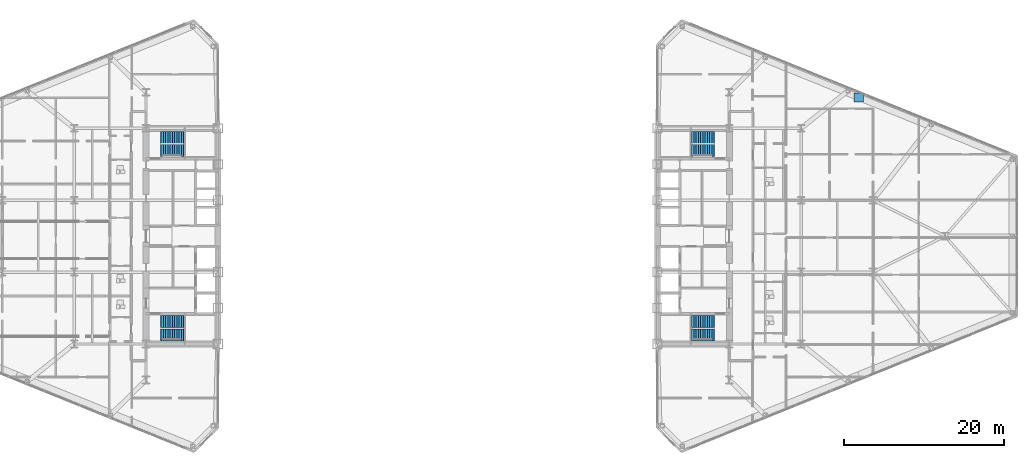
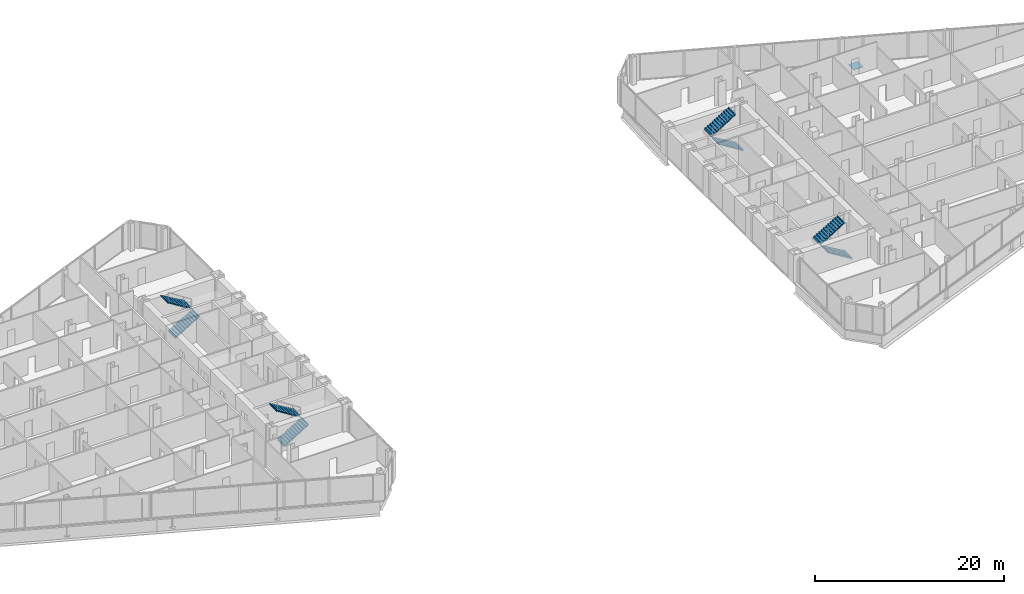
# One storey, part 24 of 26: 8 stair flights, 1 discrete accessory, 4 elements without a shape of their own.
"""IFC4 building model written with IfcOpenShell, lengths in metres."""

from ifc_helpers import new_model, si_unit, direction, frame, origin, origin_2d, place, context, subcontext, project, spatial, polyline, rectangle, outline, extrude, source, transform, mapped, material, type_object, type_shapes, element, aggregate, save


model = new_model("IFC4")

# Units and contexts
model_context = context("Model", 3, precision=1e-05, world=origin(), true_north=direction((0.0, 1.0)))
body_context = subcontext(model_context, "Body", "Model", "MODEL_VIEW")
ifc_project = project(units=[si_unit("LENGTHUNIT", "METRE"), si_unit("AREAUNIT", "SQUARE_METRE"), si_unit("VOLUMEUNIT", "CUBIC_METRE"), si_unit("PLANEANGLEUNIT", "RADIAN"), si_unit("MASSUNIT", "GRAM", prefix="KILO")], contexts=[model_context])

# Site, building, storey
site_placement = place(None, origin())
site = spatial("IfcSite", under=ifc_project, at=site_placement, CompositionType="ELEMENT")
building_placement = place(site_placement, origin())
building = spatial("IfcBuilding", under=site, at=building_placement, Name="Seokmaru Belvedere", CompositionType="ELEMENT")
storey_placement = place(building_placement, frame((0.0, 0.0, 18.89990234375)))
storey = spatial("IfcBuildingStorey", under=building, at=storey_placement, Name="L04", CompositionType="ELEMENT", Elevation=18.89990234375)

# Stair, stair flights
ifc_material_1 = material(Name="Concrete C40 (40 MPa)", Category="concrete")
stair_type = type_object("IfcStairType", Name="Typical Tower Core Dog-Leg Stair 3600", PredefinedType="TWO_STRAIGHT_RUN_STAIR", material=ifc_material_1)
stair_1_placement = place(storey_placement, origin())
stair_1 = element("IfcStair", 1, at=stair_1_placement, inside=storey, type_object=stair_type, Name="L04 Special Escape Stair ST-W1", PredefinedType="TWO_STRAIGHT_RUN_STAIR")
stair_flight_type = type_object("IfcStairFlightType", Name="Reinforced Concrete Stair Flight 1500", PredefinedType="STRAIGHT", material=ifc_material_1)
stair_flight_1_placement = place(storey_placement, frame((-34.60009765625, -12.35009765625, 0.0), z_axis=(0.0, 0.0, 1.0), x_axis=(1.0, 0.0, 0.0)))
stair_flight_1 = element("IfcStairFlight", 2, at=stair_flight_1_placement, type_object=stair_flight_type, Name="ST-W1 flight 1", NumberOfRisers=11, NumberOfTreads=10, PredefinedType="STRAIGHT", RiserHeight=0.163636364, TreadLength=0.28, context=body_context, shape_type="SweptSolid", body=[
    extrude(outline(polyline([(-0.080078125, 0.0), (0.0, 0.16357421875), (0.280029296875, 0.16357421875), (0.280029296875, 0.327392578125), (0.56005859375, 0.327392578125), (0.56005859375, 0.490966796875), (0.840087890625, 0.490966796875), (0.840087890625, 0.654541015625), (1.1201171875, 0.654541015625), (1.1201171875, 0.818115234375), (1.39990234375, 0.818115234375), (1.39990234375, 0.98193359375), (1.679931640625, 0.98193359375), (1.679931640625, 1.1455078125), (1.9599609375, 1.1455078125), (1.9599609375, 1.30908203125), (2.239990234375, 1.30908203125), (2.239990234375, 1.47265625), (2.52001953125, 1.47265625), (2.52001953125, 1.636474609375), (2.800048828125, 1.636474609375), (2.800048828125, 1.800048828125), (2.8798828125, 1.800048828125), (2.8798828125, 1.610107421875), (2.800048828125, 1.610107421875), (0.0, -0.159912109375), (-0.080078125, -0.159912109375), (-0.080078125, 0.0)])), frame((0.0, 0.75, 0.0), z_axis=(0.0, -1.0, 0.0), x_axis=(1.0, 0.0, 0.0)), (0.0, 0.0, 1.0), 1.5),
])
stair_flight_2_placement = place(storey_placement, frame((-31.800048828125, -10.7099609375, 1.800048828125), z_axis=(0.0, 0.0, 1.0), x_axis=(-1.0, 0.0, 0.0)))
stair_flight_2 = element("IfcStairFlight", 3, at=stair_flight_2_placement, type_object=stair_flight_type, Name="ST-W1 flight 2", NumberOfRisers=11, NumberOfTreads=10, PredefinedType="STRAIGHT", RiserHeight=0.163636364, TreadLength=0.28, context=body_context, shape_type="SweptSolid", body=[
    extrude(outline(polyline([(-0.080078125, 0.0), (0.0, 0.16357421875), (0.280029296875, 0.16357421875), (0.280029296875, 0.327392578125), (0.56005859375, 0.327392578125), (0.56005859375, 0.490966796875), (0.840087890625, 0.490966796875), (0.840087890625, 0.654541015625), (1.1201171875, 0.654541015625), (1.1201171875, 0.818115234375), (1.39990234375, 0.818115234375), (1.39990234375, 0.98193359375), (1.679931640625, 0.98193359375), (1.679931640625, 1.1455078125), (1.9599609375, 1.1455078125), (1.9599609375, 1.30908203125), (2.239990234375, 1.30908203125), (2.239990234375, 1.47265625), (2.52001953125, 1.47265625), (2.52001953125, 1.636474609375), (2.800048828125, 1.636474609375), (2.800048828125, 1.800048828125), (2.8798828125, 1.800048828125), (2.8798828125, 1.610107421875), (2.800048828125, 1.610107421875), (0.0, -0.159912109375), (-0.080078125, -0.159912109375), (-0.080078125, 0.0)])), frame((0.0, 0.75, 0.0), z_axis=(0.0, -1.0, 0.0), x_axis=(1.0, 0.0, 0.0)), (0.0, 0.0, 1.0), 1.5),
])
aggregate(stair_1, [stair_flight_1, stair_flight_2])

stair_2_placement = place(storey_placement, origin())
stair_2 = element("IfcStair", 4, at=stair_2_placement, inside=storey, type_object=stair_type, Name="L04 Special Escape Stair ST-W2", PredefinedType="TWO_STRAIGHT_RUN_STAIR")
stair_flight_3_placement = place(storey_placement, frame((-34.60009765625, 10.7099609375, 0.0), z_axis=(0.0, 0.0, 1.0), x_axis=(1.0, 0.0, 0.0)))
stair_flight_3 = element("IfcStairFlight", 5, at=stair_flight_3_placement, type_object=stair_flight_type, Name="ST-W2 flight 1", NumberOfRisers=11, NumberOfTreads=10, PredefinedType="STRAIGHT", RiserHeight=0.163636364, TreadLength=0.28, context=body_context, shape_type="SweptSolid", body=[
    extrude(outline(polyline([(-0.080078125, 0.0), (0.0, 0.16357421875), (0.280029296875, 0.16357421875), (0.280029296875, 0.327392578125), (0.56005859375, 0.327392578125), (0.56005859375, 0.490966796875), (0.840087890625, 0.490966796875), (0.840087890625, 0.654541015625), (1.1201171875, 0.654541015625), (1.1201171875, 0.818115234375), (1.39990234375, 0.818115234375), (1.39990234375, 0.98193359375), (1.679931640625, 0.98193359375), (1.679931640625, 1.1455078125), (1.9599609375, 1.1455078125), (1.9599609375, 1.30908203125), (2.239990234375, 1.30908203125), (2.239990234375, 1.47265625), (2.52001953125, 1.47265625), (2.52001953125, 1.636474609375), (2.800048828125, 1.636474609375), (2.800048828125, 1.800048828125), (2.8798828125, 1.800048828125), (2.8798828125, 1.610107421875), (2.800048828125, 1.610107421875), (0.0, -0.159912109375), (-0.080078125, -0.159912109375), (-0.080078125, 0.0)])), frame((0.0, 0.75, 0.0), z_axis=(0.0, -1.0, 0.0), x_axis=(1.0, 0.0, 0.0)), (0.0, 0.0, 1.0), 1.5),
])
stair_flight_4_placement = place(storey_placement, frame((-31.800048828125, 12.35009765625, 1.800048828125), z_axis=(0.0, 0.0, 1.0), x_axis=(-1.0, 0.0, 0.0)))
stair_flight_4 = element("IfcStairFlight", 6, at=stair_flight_4_placement, type_object=stair_flight_type, Name="ST-W2 flight 2", NumberOfRisers=11, NumberOfTreads=10, PredefinedType="STRAIGHT", RiserHeight=0.163636364, TreadLength=0.28, context=body_context, shape_type="SweptSolid", body=[
    extrude(outline(polyline([(-0.080078125, 0.0), (0.0, 0.16357421875), (0.280029296875, 0.16357421875), (0.280029296875, 0.327392578125), (0.56005859375, 0.327392578125), (0.56005859375, 0.490966796875), (0.840087890625, 0.490966796875), (0.840087890625, 0.654541015625), (1.1201171875, 0.654541015625), (1.1201171875, 0.818115234375), (1.39990234375, 0.818115234375), (1.39990234375, 0.98193359375), (1.679931640625, 0.98193359375), (1.679931640625, 1.1455078125), (1.9599609375, 1.1455078125), (1.9599609375, 1.30908203125), (2.239990234375, 1.30908203125), (2.239990234375, 1.47265625), (2.52001953125, 1.47265625), (2.52001953125, 1.636474609375), (2.800048828125, 1.636474609375), (2.800048828125, 1.800048828125), (2.8798828125, 1.800048828125), (2.8798828125, 1.610107421875), (2.800048828125, 1.610107421875), (0.0, -0.159912109375), (-0.080078125, -0.159912109375), (-0.080078125, 0.0)])), frame((0.0, 0.75, 0.0), z_axis=(0.0, -1.0, 0.0), x_axis=(1.0, 0.0, 0.0)), (0.0, 0.0, 1.0), 1.5),
])
aggregate(stair_2, [stair_flight_3, stair_flight_4])

stair_3_placement = place(storey_placement, origin())
stair_3 = element("IfcStair", 7, at=stair_3_placement, inside=storey, type_object=stair_type, Name="L04 Special Escape Stair ST-E1", PredefinedType="TWO_STRAIGHT_RUN_STAIR")
stair_flight_5_placement = place(storey_placement, frame((34.60009765625, -12.35009765625, 0.0), z_axis=(0.0, 0.0, 1.0), x_axis=(-1.0, 0.0, 0.0)))
stair_flight_5 = element("IfcStairFlight", 8, at=stair_flight_5_placement, type_object=stair_flight_type, Name="ST-E1 flight 1", NumberOfRisers=11, NumberOfTreads=10, PredefinedType="STRAIGHT", RiserHeight=0.163636364, TreadLength=0.28, context=body_context, shape_type="SweptSolid", body=[
    extrude(outline(polyline([(-0.080078125, 0.0), (0.0, 0.16357421875), (0.280029296875, 0.16357421875), (0.280029296875, 0.327392578125), (0.56005859375, 0.327392578125), (0.56005859375, 0.490966796875), (0.840087890625, 0.490966796875), (0.840087890625, 0.654541015625), (1.1201171875, 0.654541015625), (1.1201171875, 0.818115234375), (1.39990234375, 0.818115234375), (1.39990234375, 0.98193359375), (1.679931640625, 0.98193359375), (1.679931640625, 1.1455078125), (1.9599609375, 1.1455078125), (1.9599609375, 1.30908203125), (2.239990234375, 1.30908203125), (2.239990234375, 1.47265625), (2.52001953125, 1.47265625), (2.52001953125, 1.636474609375), (2.800048828125, 1.636474609375), (2.800048828125, 1.800048828125), (2.8798828125, 1.800048828125), (2.8798828125, 1.610107421875), (2.800048828125, 1.610107421875), (0.0, -0.159912109375), (-0.080078125, -0.159912109375), (-0.080078125, 0.0)])), frame((0.0, 0.75, 0.0), z_axis=(0.0, -1.0, 0.0), x_axis=(1.0, 0.0, 0.0)), (0.0, 0.0, 1.0), 1.5),
])
stair_flight_6_placement = place(storey_placement, frame((31.800048828125, -10.7099609375, 1.800048828125), z_axis=(0.0, 0.0, 1.0), x_axis=(1.0, 0.0, 0.0)))
stair_flight_6 = element("IfcStairFlight", 9, at=stair_flight_6_placement, type_object=stair_flight_type, Name="ST-E1 flight 2", NumberOfRisers=11, NumberOfTreads=10, PredefinedType="STRAIGHT", RiserHeight=0.163636364, TreadLength=0.28, context=body_context, shape_type="SweptSolid", body=[
    extrude(outline(polyline([(-0.080078125, 0.0), (0.0, 0.16357421875), (0.280029296875, 0.16357421875), (0.280029296875, 0.327392578125), (0.56005859375, 0.327392578125), (0.56005859375, 0.490966796875), (0.840087890625, 0.490966796875), (0.840087890625, 0.654541015625), (1.1201171875, 0.654541015625), (1.1201171875, 0.818115234375), (1.39990234375, 0.818115234375), (1.39990234375, 0.98193359375), (1.679931640625, 0.98193359375), (1.679931640625, 1.1455078125), (1.9599609375, 1.1455078125), (1.9599609375, 1.30908203125), (2.239990234375, 1.30908203125), (2.239990234375, 1.47265625), (2.52001953125, 1.47265625), (2.52001953125, 1.636474609375), (2.800048828125, 1.636474609375), (2.800048828125, 1.800048828125), (2.8798828125, 1.800048828125), (2.8798828125, 1.610107421875), (2.800048828125, 1.610107421875), (0.0, -0.159912109375), (-0.080078125, -0.159912109375), (-0.080078125, 0.0)])), frame((0.0, 0.75, 0.0), z_axis=(0.0, -1.0, 0.0), x_axis=(1.0, 0.0, 0.0)), (0.0, 0.0, 1.0), 1.5),
])
aggregate(stair_3, [stair_flight_5, stair_flight_6])

stair_4_placement = place(storey_placement, origin())
stair_4 = element("IfcStair", 10, at=stair_4_placement, inside=storey, type_object=stair_type, Name="L04 Special Escape Stair ST-E2", PredefinedType="TWO_STRAIGHT_RUN_STAIR")
stair_flight_7_placement = place(storey_placement, frame((34.60009765625, 10.7099609375, 0.0), z_axis=(0.0, 0.0, 1.0), x_axis=(-1.0, 0.0, 0.0)))
stair_flight_7 = element("IfcStairFlight", 11, at=stair_flight_7_placement, type_object=stair_flight_type, Name="ST-E2 flight 1", NumberOfRisers=11, NumberOfTreads=10, PredefinedType="STRAIGHT", RiserHeight=0.163636364, TreadLength=0.28, context=body_context, shape_type="SweptSolid", body=[
    extrude(outline(polyline([(-0.080078125, 0.0), (0.0, 0.16357421875), (0.280029296875, 0.16357421875), (0.280029296875, 0.327392578125), (0.56005859375, 0.327392578125), (0.56005859375, 0.490966796875), (0.840087890625, 0.490966796875), (0.840087890625, 0.654541015625), (1.1201171875, 0.654541015625), (1.1201171875, 0.818115234375), (1.39990234375, 0.818115234375), (1.39990234375, 0.98193359375), (1.679931640625, 0.98193359375), (1.679931640625, 1.1455078125), (1.9599609375, 1.1455078125), (1.9599609375, 1.30908203125), (2.239990234375, 1.30908203125), (2.239990234375, 1.47265625), (2.52001953125, 1.47265625), (2.52001953125, 1.636474609375), (2.800048828125, 1.636474609375), (2.800048828125, 1.800048828125), (2.8798828125, 1.800048828125), (2.8798828125, 1.610107421875), (2.800048828125, 1.610107421875), (0.0, -0.159912109375), (-0.080078125, -0.159912109375), (-0.080078125, 0.0)])), frame((0.0, 0.75, 0.0), z_axis=(0.0, -1.0, 0.0), x_axis=(1.0, 0.0, 0.0)), (0.0, 0.0, 1.0), 1.5),
])
stair_flight_8_placement = place(storey_placement, frame((31.800048828125, 12.35009765625, 1.800048828125), z_axis=(0.0, 0.0, 1.0), x_axis=(1.0, 0.0, 0.0)))
stair_flight_8 = element("IfcStairFlight", 12, at=stair_flight_8_placement, type_object=stair_flight_type, Name="ST-E2 flight 2", NumberOfRisers=11, NumberOfTreads=10, PredefinedType="STRAIGHT", RiserHeight=0.163636364, TreadLength=0.28, context=body_context, shape_type="SweptSolid", body=[
    extrude(outline(polyline([(-0.080078125, 0.0), (0.0, 0.16357421875), (0.280029296875, 0.16357421875), (0.280029296875, 0.327392578125), (0.56005859375, 0.327392578125), (0.56005859375, 0.490966796875), (0.840087890625, 0.490966796875), (0.840087890625, 0.654541015625), (1.1201171875, 0.654541015625), (1.1201171875, 0.818115234375), (1.39990234375, 0.818115234375), (1.39990234375, 0.98193359375), (1.679931640625, 0.98193359375), (1.679931640625, 1.1455078125), (1.9599609375, 1.1455078125), (1.9599609375, 1.30908203125), (2.239990234375, 1.30908203125), (2.239990234375, 1.47265625), (2.52001953125, 1.47265625), (2.52001953125, 1.636474609375), (2.800048828125, 1.636474609375), (2.800048828125, 1.800048828125), (2.8798828125, 1.800048828125), (2.8798828125, 1.610107421875), (2.800048828125, 1.610107421875), (0.0, -0.159912109375), (-0.080078125, -0.159912109375), (-0.080078125, 0.0)])), frame((0.0, 0.75, 0.0), z_axis=(0.0, -1.0, 0.0), x_axis=(1.0, 0.0, 0.0)), (0.0, 0.0, 1.0), 1.5),
])
aggregate(stair_4, [stair_flight_7, stair_flight_8])

# Discrete accessory
ifc_material_2 = material(Name="Steel HSA650 (650 MPa)", Category="steel")
discrete_accessory_type = type_object("IfcDiscreteAccessoryType", Name="End Cap Plate BOX-1150x1150x48", PredefinedType="USERDEFINED", material=ifc_material_2)
shared_shape = source(origin(), body_context, "Body", "SweptSolid", [
    extrude(rectangle(XDim=1.14990234375, YDim=1.14990234375, at=origin_2d()), origin(), (0.0, 0.0, 1.0), 0.048095703125),
])
type_shapes(discrete_accessory_type, [shared_shape])
discrete_accessory_placement = place(storey_placement, frame((52.715576171875, 17.360595703125, 0.0), z_axis=(0.0, 0.0, 1.0), x_axis=(1.0, 0.0, 0.0)))
element("IfcDiscreteAccessory", 13, at=discrete_accessory_placement, inside=storey, type_object=discrete_accessory_type, Name="L03 Column EFLK_N2 End Cap Plate Top", ObjectType="END_CAP_PLATE", PredefinedType="USERDEFINED", context=body_context, shape_type="MappedRepresentation", body=[
    mapped(shared_shape, transform((0.0, 0.0, 0.0), scale=1.0)),
])

save(model, "model.ifc")
